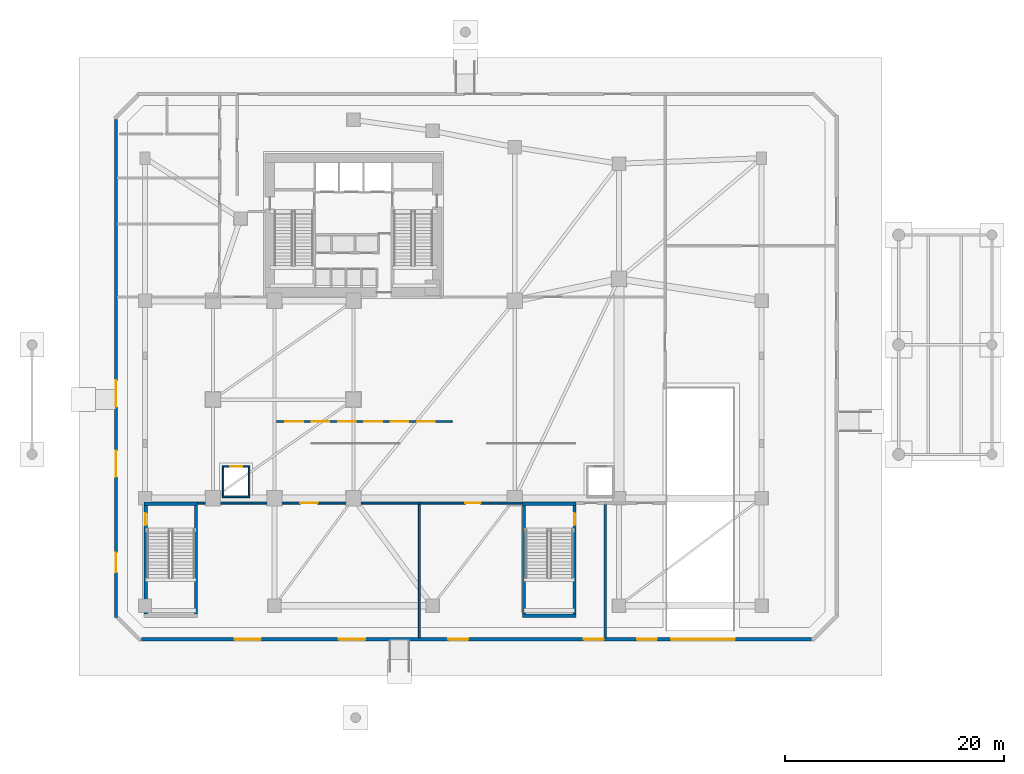
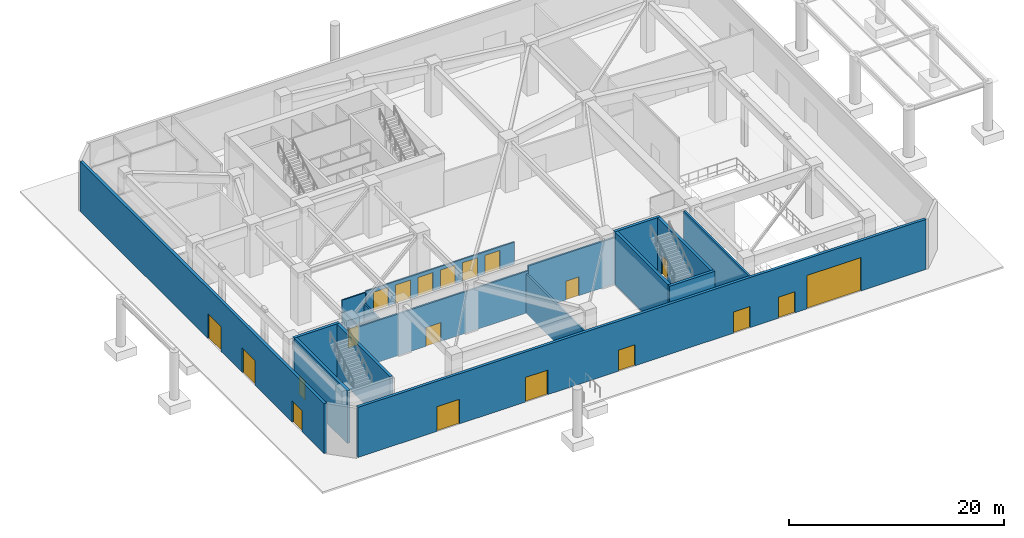
# One storey, part 3 of 13: 20 doors, 18 walls, 20 openings.
"""IFC4 building model written with IfcOpenShell, lengths in metres."""

import ifcopenshell
import ifcopenshell.guid

model = None  # the IFC model being written
_history = None  # IfcOwnerHistory: only IFC2X3 demands one
_inside = {}  # id of a spatial element -> (the spatial element, [elements in it])
_under = {}  # id of a project, library or spatial element -> (it, [spatial elements below it])
_declared = {}  # id of a project -> (the project, [libraries it declares])
_typed = {}  # id of a type object -> (the type object, [elements of that type])
_made_of = {}  # id of a material, layer set ... -> (it, [elements and type objects made of it])


def new_model(schema):
    """Start an empty IFC model of exactly this schema.

    Asked for "IFC4X3", IfcOpenShell would pick the latest addendum, in which some entities
    have other attributes; the version numbers below select the first issue.
    IFC2X3 requires an IfcOwnerHistory on every rooted entity: one is made here for all.
    """
    global model, _history
    if schema == "IFC4X3":
        model = ifcopenshell.file(schema_version=(4, 3, 0, 0))
    else:
        model = ifcopenshell.file(schema=schema)
    _inside.clear()
    _under.clear()
    _declared.clear()
    _typed.clear()
    _made_of.clear()
    _history = None
    if model.schema == "IFC2X3":
        org = make("IfcOrganization", Name="unknown")
        user = make(
            "IfcPersonAndOrganization",
            ThePerson=make("IfcPerson", FamilyName="unknown"),
            TheOrganization=org,
        )
        app = make(
            "IfcApplication",
            ApplicationDeveloper=org,
            Version="unknown",
            ApplicationFullName="unknown",
            ApplicationIdentifier="unknown",
        )
        _history = make(
            "IfcOwnerHistory",
            OwningUser=user,
            OwningApplication=app,
            ChangeAction="ADDED",
            CreationDate=0,
        )
    return model


def make(cls, **values):
    """One entity of the class cls with the attributes given. An attribute that is None is left unset."""
    return model.create_entity(
        cls, **{name: value for name, value in values.items() if value is not None}
    )


def rooted(cls, **values):
    """An entity with a GlobalId (a new one), such as an element, a storey or a relation."""
    return make(cls, GlobalId=ifcopenshell.guid.new(), OwnerHistory=_history, **values)


def si_unit(unit_type, name, prefix=None):
    """IfcSIUnit, for example si_unit("LENGTHUNIT", "METRE", prefix="MILLI")."""
    return make("IfcSIUnit", UnitType=unit_type, Prefix=prefix, Name=name)


def assignment(units):
    """IfcUnitAssignment: the units of a project."""
    return None if units is None else make("IfcUnitAssignment", Units=units)


def point(xyz):
    """IfcCartesianPoint."""
    return None if xyz is None else make("IfcCartesianPoint", Coordinates=xyz)


def direction(xyz):
    """IfcDirection."""
    return None if xyz is None else make("IfcDirection", DirectionRatios=xyz)


def frame(location, z_axis=None, x_axis=None):
    """IfcAxis2Placement3D, a coordinate frame: its origin and axes. An axis left out is left unset."""
    return make(
        "IfcAxis2Placement3D",
        Location=point(location),
        Axis=direction(z_axis),
        RefDirection=direction(x_axis),
    )


def frame_2d(location, x_axis=None):
    """IfcAxis2Placement2D, a coordinate frame in the plane: its origin and x axis."""
    return make(
        "IfcAxis2Placement2D", Location=point(location), RefDirection=direction(x_axis)
    )


def origin():
    """The frame at (0, 0, 0) with its axes left unset."""
    return frame((0.0, 0.0, 0.0))


def place(relative_to, where):
    """IfcLocalPlacement: puts the frame where relative to a parent placement (None: the world)."""
    return make(
        "IfcLocalPlacement", PlacementRelTo=relative_to, RelativePlacement=where
    )


def context(
    kind, dimensions, precision=None, world=None, true_north=None, identifier=None
):
    """IfcGeometricRepresentationContext, for example the 3D "Model" context."""
    return make(
        "IfcGeometricRepresentationContext",
        ContextIdentifier=identifier,
        ContextType=kind,
        CoordinateSpaceDimension=dimensions,
        Precision=precision,
        WorldCoordinateSystem=world,
        TrueNorth=true_north,
    )


def subcontext(parent, identifier, kind, view, scale=None):
    """IfcGeometricRepresentationSubContext, for example "Body" below "Model"."""
    return make(
        "IfcGeometricRepresentationSubContext",
        ContextIdentifier=identifier,
        ContextType=kind,
        ParentContext=parent,
        TargetScale=scale,
        TargetView=view,
    )


def project(units=None, contexts=None):
    """IfcProject with its units and contexts."""
    return rooted(
        "IfcProject",
        Name="project",
        RepresentationContexts=contexts,
        UnitsInContext=assignment(units),
    )


def spatial(cls, under=None, at=None, **own):
    """A site, building, storey or space (cls), placed at a placement, below another one or the project."""
    s = rooted(cls, ObjectPlacement=at, **own)
    if under is not None:
        _under.setdefault(under.id(), (under, []))[1].append(s)
    return s


def profile(cls, at=None, kind="AREA", **sizes):
    """A parametric profile (cls). Its sizes go by their IFC names, for example OverallWidth=200.0."""
    return make(cls, ProfileType=kind, Position=at, **sizes)


def rectangle(**sizes):
    """IfcRectangleProfileDef."""
    return profile("IfcRectangleProfileDef", **sizes)


def extrude(swept, where, along, depth):
    """IfcExtrudedAreaSolid: the profile swept, set in the frame where, extruded along a direction by depth."""
    return make(
        "IfcExtrudedAreaSolid",
        SweptArea=swept,
        Position=where,
        ExtrudedDirection=direction(along),
        Depth=depth,
    )


def shape(context_of_items, identifier, shape_type, items):
    """IfcShapeRepresentation: the items that make up one representation, for example the "Body"."""
    return make(
        "IfcShapeRepresentation",
        ContextOfItems=context_of_items,
        RepresentationIdentifier=identifier,
        RepresentationType=shape_type,
        Items=items,
    )


def source(mapping_origin, context_of_items, identifier, shape_type, items):
    """IfcRepresentationMap: a shape defined once, which mapped items show again and again."""
    return make(
        "IfcRepresentationMap",
        MappingOrigin=mapping_origin,
        MappedRepresentation=shape(context_of_items, identifier, shape_type, items),
    )


def transform(
    local_origin,
    x_axis=None,
    y_axis=None,
    z_axis=None,
    scale=None,
    scale2=None,
    scale3=None,
    uniform=True,
):
    """IfcCartesianTransformationOperator3D, or its non-uniform kind. x_axis, y_axis, z_axis: its Axis1, 2, 3."""
    if uniform:
        return make(
            "IfcCartesianTransformationOperator3D",
            Axis1=direction(x_axis),
            Axis2=direction(y_axis),
            LocalOrigin=point(local_origin),
            Scale=scale,
            Axis3=direction(z_axis),
        )
    return make(
        "IfcCartesianTransformationOperator3DnonUniform",
        Axis1=direction(x_axis),
        Axis2=direction(y_axis),
        LocalOrigin=point(local_origin),
        Scale=scale,
        Axis3=direction(z_axis),
        Scale2=scale2,
        Scale3=scale3,
    )


def mapped(mapping_source, mapping_target):
    """IfcMappedItem: shows the shape of a source again, moved by a transform."""
    return make(
        "IfcMappedItem", MappingSource=mapping_source, MappingTarget=mapping_target
    )


def material(Name=None, Category=None):
    """IfcMaterial."""
    return make("IfcMaterial", Name=Name, Category=Category)


def layer(
    of_material, thickness, ventilated=None, Name=None, Category=None, Priority=None
):
    """IfcMaterialLayer: one layer of a wall or slab, of a material (None: an air gap)."""
    return make(
        "IfcMaterialLayer",
        Material=of_material,
        LayerThickness=thickness,
        IsVentilated=ventilated,
        Name=Name,
        Category=Category,
        Priority=Priority,
    )


def layer_set(layers, Name=None):
    """IfcMaterialLayerSet."""
    return make("IfcMaterialLayerSet", MaterialLayers=layers, LayerSetName=Name)


def made_of(thing, what):
    """Note that an element or type object is made of a material, layer set ...; save() writes the relation."""
    if what is not None:
        _made_of.setdefault(what.id(), (what, []))[1].append(thing)
    return thing


def type_object(cls, material=None, **own):
    """A type object (cls), such as IfcWallType, which elements share."""
    return made_of(rooted(cls, **own), material)


def element(
    cls,
    number,
    at=None,
    inside=None,
    cuts=None,
    type_object=None,
    material=None,
    context=None,
    identifier="Body",
    shape_type=None,
    held_by="IfcProductDefinitionShape",
    body=None,
    shapes=None,
    **own,
):
    """One element of the class cls, such as IfcWall. Its Tag is "e" and its number.

    at: its placement. inside: the storey or other place that contains it. cuts: it is an
    opening in that element (IfcRelVoidsElement). A single representation is given by context,
    identifier, shape_type and body (its items); several are given by shapes. held_by: the class
    of the entity that holds the representations. save() writes the other relations.
    """
    e = rooted(cls, Tag="e%d" % number, ObjectPlacement=at, **own)
    if body is not None:
        shapes = [shape(context, identifier, shape_type, body)]
    if shapes is not None:
        e.Representation = make(held_by, Representations=shapes)
    if inside is not None:
        _inside.setdefault(inside.id(), (inside, []))[1].append(e)
    if cuts is not None:
        rooted(
            "IfcRelVoidsElement", RelatingBuildingElement=cuts, RelatedOpeningElement=e
        )
    if type_object is not None:
        _typed.setdefault(type_object.id(), (type_object, []))[1].append(e)
    return made_of(e, material)


def fill(opening, filler):
    """IfcRelFillsElement: the door or window that sits in an opening."""
    return rooted(
        "IfcRelFillsElement",
        RelatingOpeningElement=opening,
        RelatedBuildingElement=filler,
    )


def aggregate(whole, parts):
    """IfcRelAggregates: a whole, such as a stair, and the parts it consists of."""
    return rooted("IfcRelAggregates", RelatingObject=whole, RelatedObjects=parts)


def save(model, path):
    """Write the relations noted so far, then the file.

    IfcRelAggregates (storeys below a building ...), IfcRelContainedInSpatialStructure (elements
    in a storey), IfcRelDefinesByType, IfcRelAssociatesMaterial and IfcRelDeclares: one each for
    every whole, place, type object, material and project.
    """
    for whole, parts in _under.values():
        aggregate(whole, parts)
    for where, things in _inside.values():
        rooted(
            "IfcRelContainedInSpatialStructure",
            RelatedElements=things,
            RelatingStructure=where,
        )
    for kind, things in _typed.values():
        rooted("IfcRelDefinesByType", RelatedObjects=things, RelatingType=kind)
    for what, things in _made_of.values():
        rooted("IfcRelAssociatesMaterial", RelatedObjects=things, RelatingMaterial=what)
    for by, libraries in _declared.values():
        rooted("IfcRelDeclares", RelatingContext=by, RelatedDefinitions=libraries)
    model.write(path)


model = new_model("IFC4")

# Units and contexts
model_context = context("Model", 3, precision=1e-05, world=origin(), true_north=direction((0.0, 1.0)))
body_context = subcontext(model_context, "Body", "Model", "MODEL_VIEW")
ifc_project = project(units=[si_unit("LENGTHUNIT", "METRE"), si_unit("AREAUNIT", "SQUARE_METRE"), si_unit("VOLUMEUNIT", "CUBIC_METRE"), si_unit("PLANEANGLEUNIT", "RADIAN"), si_unit("MASSUNIT", "GRAM", prefix="KILO")], contexts=[model_context])

# Site, building, storey
site_placement = place(None, origin())
site = spatial("IfcSite", under=ifc_project, at=site_placement, CompositionType="ELEMENT")
building_placement = place(site_placement, origin())
building = spatial("IfcBuilding", under=site, at=building_placement, Name="Calvemar Wedge Station Tower", CompositionType="ELEMENT")
storey_placement = place(building_placement, origin())
storey = spatial("IfcBuildingStorey", under=building, at=storey_placement, Name="L01", CompositionType="ELEMENT", Elevation=0.0)

# Wall, opening, door
ifc_material_1 = material(Name="Concrete C50", Category="concrete")
ifc_layer_1 = layer(ifc_material_1, 0.300048828125)
ifc_layer_set_1 = layer_set([ifc_layer_1], Name="Concrete C50")
wall_type_1 = type_object("IfcWallType", Name="SW-CORE-300", PredefinedType="SHEAR", material=ifc_layer_set_1)
wall_1_placement = place(storey_placement, frame((4.85009765625, 4.449951171875, 0.0), z_axis=(0.0, 0.0, 1.0), x_axis=(0.0, 1.0, 0.0)))
wall_1 = element("IfcWall", 1, at=wall_1_placement, inside=storey, type_object=wall_type_1, Name="Storey L01 Podium Stair STP1 Structural Wall W", PredefinedType="SHEAR", context=body_context, shape_type="SweptSolid", body=[
    extrude(rectangle(XDim=9.900146484375, YDim=0.300048828125, at=frame_2d((4.9501953125, 0.0))), origin(), (0.0, 0.0, 1.0), 6.0),
])
shared_shape_1 = source(origin(), body_context, "Body", "SweptSolid", [
    extrude(rectangle(XDim=1.10009765625, YDim=2.14990234375, at=frame_2d((0.550048828125, 1.074951171875))), frame((0.0, 0.16015625, 0.0), z_axis=(0.0, -1.0, 0.0), x_axis=(1.0, 0.0, 0.0)), (0.0, 0.0, 1.0), 0.320068359375),
])
opening_1_placement = place(wall_1_placement, frame((8.10009765625, 0.0, 0.0)))
opening_1 = element("IfcOpeningElement", 2, at=opening_1_placement, cuts=wall_1, Name="Opening FD-90", PredefinedType="OPENING", context=body_context, shape_type="MappedRepresentation", body=[
    mapped(shared_shape_1, transform((0.0, 0.0, 0.0), scale=1.0)),
])
ifc_material_2 = material(Name="Galvanized fire-rated steel door leaf P-90", Category="steel")
door_type_1 = type_object("IfcDoorType", Name="DR-FD90-1100", OperationType="NOTDEFINED", PredefinedType="DOOR", material=ifc_material_2)
shared_shape_2 = source(origin(), body_context, "Body", "SweptSolid", [
    extrude(rectangle(XDim=1.10009765625, YDim=2.14990234375, at=frame_2d((0.550048828125, 1.074951171875))), frame((0.0, 0.02490234375, 0.0), z_axis=(0.0, -1.0, 0.0), x_axis=(1.0, 0.0, 0.0)), (0.0, 0.0, 1.0), 0.050048828125),
])
door_1_placement = place(opening_1_placement, origin())
door_1 = element("IfcDoor", 3, at=door_1_placement, inside=storey, type_object=door_type_1, Name="L01 Stair ST-P1 Protected Discharge Door", OperationType="SINGLE_SWING_RIGHT", OverallHeight=2.14990234375, OverallWidth=1.10009765625, PredefinedType="DOOR", context=body_context, shape_type="MappedRepresentation", body=[
    mapped(shared_shape_2, transform((0.0, 0.0, 0.0), scale=1.0)),
])
fill(opening_1, door_1)

# Walls
wall_2_placement = place(storey_placement, frame((9.449951171875, 4.449951171875, 0.0), z_axis=(0.0, 0.0, 1.0), x_axis=(0.0, 1.0, 0.0)))
element("IfcWall", 4, at=wall_2_placement, inside=storey, type_object=wall_type_1, Name="Storey L01 Podium Stair STP1 Structural Wall E", PredefinedType="SHEAR", context=body_context, shape_type="SweptSolid", body=[
    extrude(rectangle(XDim=9.900146484375, YDim=0.300048828125, at=frame_2d((4.9501953125, 0.0))), origin(), (0.0, 0.0, 1.0), 6.0),
])
wall_3_placement = place(storey_placement, frame((4.699951171875, 14.5, 0.0), z_axis=(0.0, 0.0, 1.0), x_axis=(1.0, 0.0, 0.0)))
element("IfcWall", 5, at=wall_3_placement, inside=storey, type_object=wall_type_1, Name="Storey L01 Podium Stair STP1 Structural Wall N", PredefinedType="SHEAR", context=body_context, shape_type="SweptSolid", body=[
    extrude(rectangle(XDim=4.900146484375, YDim=0.300048828125, at=frame_2d((2.4501953125, 0.0))), origin(), (0.0, 0.0, 1.0), 6.0),
])
wall_4_placement = place(storey_placement, frame((39.35009765625, 4.449951171875, 0.0), z_axis=(0.0, 0.0, 1.0), x_axis=(0.0, 1.0, 0.0)))
element("IfcWall", 6, at=wall_4_placement, inside=storey, type_object=wall_type_1, Name="Storey L01 Podium Stair STP2 Structural Wall W", PredefinedType="SHEAR", context=body_context, shape_type="SweptSolid", body=[
    extrude(rectangle(XDim=9.900146484375, YDim=0.300048828125, at=frame_2d((4.9501953125, 0.0))), origin(), (0.0, 0.0, 1.0), 6.0),
])

# Wall, opening, door
wall_5_placement = place(storey_placement, frame((43.949951171875, 4.449951171875, 0.0), z_axis=(0.0, 0.0, 1.0), x_axis=(0.0, 1.0, 0.0)))
wall_5 = element("IfcWall", 7, at=wall_5_placement, inside=storey, type_object=wall_type_1, Name="Storey L01 Podium Stair STP2 Structural Wall E", PredefinedType="SHEAR", context=body_context, shape_type="SweptSolid", body=[
    extrude(rectangle(XDim=9.900146484375, YDim=0.300048828125, at=frame_2d((4.9501953125, 0.0))), origin(), (0.0, 0.0, 1.0), 6.0),
])
opening_2_placement = place(wall_5_placement, frame((8.10009765625, 0.0, 0.0)))
opening_2 = element("IfcOpeningElement", 8, at=opening_2_placement, cuts=wall_5, Name="Opening FD-90", PredefinedType="OPENING", context=body_context, shape_type="MappedRepresentation", body=[
    mapped(shared_shape_1, transform((0.0, 0.0, 0.0), scale=1.0)),
])
door_2_placement = place(opening_2_placement, origin())
door_2 = element("IfcDoor", 9, at=door_2_placement, inside=storey, type_object=door_type_1, Name="L01 Stair ST-P2 Protected Discharge Door", OperationType="SINGLE_SWING_LEFT", OverallHeight=2.14990234375, OverallWidth=1.10009765625, PredefinedType="DOOR", context=body_context, shape_type="MappedRepresentation", body=[
    mapped(shared_shape_2, transform((0.0, 0.0, 0.0), scale=1.0)),
])
fill(opening_2, door_2)

# Walls
for number, where, z_axis, x_axis, name in (
    (10, (39.199951171875, 4.300048828125, 0.0), (0.0, 0.0, 1.0), (1.0, 0.0, 0.0), "Storey L01 Podium Stair STP2 Structural Wall S"),
    (11, (39.199951171875, 14.5, 0.0), (0.0, 0.0, 1.0), (1.0, 0.0, 0.0), "Storey L01 Podium Stair STP2 Structural Wall N"),
):
    element("IfcWall", number, at=place(storey_placement, frame(where, z_axis=z_axis, x_axis=x_axis)), inside=storey, type_object=wall_type_1, Name=name, PredefinedType="SHEAR", context=body_context, shape_type="SweptSolid", body=[
        extrude(rectangle(XDim=4.900146484375, YDim=0.300048828125, at=frame_2d((2.4501953125, 0.0))), origin(), (0.0, 0.0, 1.0), 6.0),
    ])

# Wall, opening, door
ifc_material_3 = material(Name="Double-stud fire-rated corridor partition")
ifc_layer_2 = layer(ifc_material_3, 0.179931640625)
ifc_layer_set_2 = layer_set([ifc_layer_2], Name="Double-stud fire-rated corridor partition")
wall_type_2 = type_object("IfcWallType", Name="W-CORR-180", PredefinedType="PARTITIONING", material=ifc_layer_set_2)
wall_6_placement = place(storey_placement, frame((29.9599609375, 14.550048828125, 0.0), z_axis=(0.0, 0.0, 1.0), x_axis=(-1.0, 0.0, 0.0)))
wall_6 = element("IfcWall", 12, at=wall_6_placement, inside=storey, type_object=wall_type_2, Name="Storey L01 Interior Partition WL-L01-008", PredefinedType="PARTITIONING", context=body_context, shape_type="SweptSolid", body=[
    extrude(rectangle(XDim=20.449951171875, YDim=0.179931640625, at=frame_2d((10.22509765625, 0.0))), origin(), (0.0, 0.0, 1.0), 4.741943359375),
])
shared_shape_3 = source(origin(), body_context, "Body", "SweptSolid", [
    extrude(rectangle(XDim=1.60009765625, YDim=2.14990234375, at=frame_2d((0.800048828125, 1.074951171875))), frame((0.0, 0.10009765625, 0.0), z_axis=(0.0, -1.0, 0.0), x_axis=(1.0, 0.0, 0.0)), (0.0, 0.0, 1.0), 0.199951171875),
])
opening_3_placement = place(wall_6_placement, frame((9.425048828125, 0.0, 0.0)))
opening_3 = element("IfcOpeningElement", 13, at=opening_3_placement, cuts=wall_6, Name="Opening DD-160", PredefinedType="OPENING", context=body_context, shape_type="MappedRepresentation", body=[
    mapped(shared_shape_3, transform((0.0, 0.0, 0.0), scale=1.0)),
])
ifc_material_4 = material(Name="Double-leaf fire-rated lobby door EI 60")
door_type_2 = type_object("IfcDoorType", Name="DR-DBL-1600", OperationType="DOUBLE_DOOR_SINGLE_SWING", PredefinedType="DOOR", material=ifc_material_4)
shared_shape_4 = source(origin(), body_context, "Body", "SweptSolid", [
    extrude(rectangle(XDim=1.60009765625, YDim=2.14990234375, at=frame_2d((0.800048828125, 1.074951171875))), frame((0.0, 0.02490234375, 0.0), z_axis=(0.0, -1.0, 0.0), x_axis=(1.0, 0.0, 0.0)), (0.0, 0.0, 1.0), 0.050048828125),
])
door_3_placement = place(opening_3_placement, origin())
door_3 = element("IfcDoor", 14, at=door_3_placement, inside=storey, type_object=door_type_2, Name="L01 South Tower Entrance Hall Door", OperationType="SINGLE_SWING_LEFT", OverallHeight=2.14990234375, OverallWidth=1.60009765625, PredefinedType="DOOR", context=body_context, shape_type="MappedRepresentation", body=[
    mapped(shared_shape_4, transform((0.0, 0.0, 0.0), scale=1.0)),
])
fill(opening_3, door_3)

wall_7_placement = place(storey_placement, frame((39.2900390625, 14.550048828125, 0.0), z_axis=(0.0, 0.0, 1.0), x_axis=(-1.0, 0.0, 0.0)))
wall_7 = element("IfcWall", 15, at=wall_7_placement, inside=storey, type_object=wall_type_2, Name="Storey L01 Interior Partition WL-L01-009", PredefinedType="PARTITIONING", context=body_context, shape_type="SweptSolid", body=[
    extrude(rectangle(XDim=9.328125, YDim=0.179931640625, at=frame_2d((4.6640625, 0.0))), origin(), (0.0, 0.0, 1.0), 5.284912109375),
])
shared_shape_5 = source(origin(), body_context, "Body", "SweptSolid", [
    extrude(rectangle(XDim=1.39990234375, YDim=2.14990234375, at=frame_2d((0.699951171875, 1.074951171875))), frame((0.0, 0.10009765625, 0.0), z_axis=(0.0, -1.0, 0.0), x_axis=(1.0, 0.0, 0.0)), (0.0, 0.0, 1.0), 0.199951171875),
])
opening_4_placement = place(wall_7_placement, frame((3.903564453125, 0.0, 0.0)))
opening_4 = element("IfcOpeningElement", 16, at=opening_4_placement, cuts=wall_7, Name="Opening DD-140", PredefinedType="OPENING", context=body_context, shape_type="MappedRepresentation", body=[
    mapped(shared_shape_5, transform((0.0, 0.0, 0.0), scale=1.0)),
])
ifc_material_5 = material(Name="Double-leaf corridor acoustic fire door EI 60")
door_type_3 = type_object("IfcDoorType", Name="DR-DBL-1400", OperationType="DOUBLE_DOOR_SINGLE_SWING", PredefinedType="DOOR", material=ifc_material_5)
shared_shape_6 = source(origin(), body_context, "Body", "SweptSolid", [
    extrude(rectangle(XDim=1.39990234375, YDim=2.14990234375, at=frame_2d((0.699951171875, 1.074951171875))), frame((0.0, 0.02490234375, 0.0), z_axis=(0.0, -1.0, 0.0), x_axis=(1.0, 0.0, 0.0)), (0.0, 0.0, 1.0), 0.050048828125),
])
door_4_placement = place(opening_4_placement, origin())
door_4 = element("IfcDoor", 17, at=door_4_placement, inside=storey, type_object=door_type_3, Name="L01 Station Retail Shop 1 Door", OperationType="SINGLE_SWING_RIGHT", OverallHeight=2.14990234375, OverallWidth=1.39990234375, PredefinedType="DOOR", context=body_context, shape_type="MappedRepresentation", body=[
    mapped(shared_shape_6, transform((0.0, 0.0, 0.0), scale=1.0)),
])
fill(opening_4, door_4)

# Wall
wall_8_placement = place(storey_placement, frame((29.800048828125, 14.4560546875, 0.0), z_axis=(0.0, 0.0, 1.0), x_axis=(0.0, -1.0, 0.0)))
element("IfcWall", 18, at=wall_8_placement, inside=storey, type_object=wall_type_2, Name="Storey L01 Interior Partition WL-L01-016", PredefinedType="PARTITIONING", context=body_context, shape_type="SweptSolid", body=[
    extrude(rectangle(XDim=12.191162109375, YDim=0.179931640625, at=frame_2d((6.095703125, 0.0))), origin(), (0.0, 0.0, 1.0), 4.491943359375),
])

# Wall, openings, doors
ifc_material_6 = material(Name="Precast concrete C45", Category="concrete")
ifc_layer_3 = layer(ifc_material_6, 0.300048828125)
ifc_layer_set_3 = layer_set([ifc_layer_3], Name="Precast concrete C45")
wall_type_3 = type_object("IfcWallType", Name="W-EXT-GFRC-300", PredefinedType="SOLIDWALL", material=ifc_layer_set_3)
wall_9_placement = place(storey_placement, frame((2.14990234375, 4.112060546875, 0.0), z_axis=(0.0, 0.0, 1.0), x_axis=(0.0, 1.0, 0.0)))
wall_9 = element("IfcWall", 19, at=wall_9_placement, inside=storey, type_object=wall_type_3, Name="Storey L01 Bronze GFRC Exterior Wall 6", PredefinedType="SOLIDWALL", context=body_context, shape_type="SweptSolid", body=[
    extrude(rectangle(XDim=45.4306640625, YDim=0.300048828125, at=frame_2d((22.71533203125, 0.0))), origin(), (0.0, 0.0, 1.0), 5.699951171875),
])
shared_shape_7 = source(origin(), body_context, "Body", "SweptSolid", [
    extrude(rectangle(XDim=2.39990234375, YDim=2.800048828125, at=frame_2d((1.199951171875, 1.39990234375))), frame((0.0, 0.16015625, 0.0), z_axis=(0.0, -1.0, 0.0), x_axis=(1.0, 0.0, 0.0)), (0.0, 0.0, 1.0), 0.320068359375),
])
opening_5_placement = place(wall_9_placement, frame((19.230712890625, 0.0, 0.0)))
opening_5 = element("IfcOpeningElement", 20, at=opening_5_placement, cuts=wall_9, Name="Opening DE1", PredefinedType="OPENING", context=body_context, shape_type="MappedRepresentation", body=[
    mapped(shared_shape_7, transform((0.0, 0.0, 0.0), scale=1.0)),
])
opening_6_placement = place(wall_9_placement, frame((12.83056640625, 0.0, 0.0)))
opening_6 = element("IfcOpeningElement", 21, at=opening_6_placement, cuts=wall_9, Name="Opening DE1", PredefinedType="OPENING", context=body_context, shape_type="MappedRepresentation", body=[
    mapped(shared_shape_7, transform((0.0, 0.0, 0.0), scale=1.0)),
])
shared_shape_8 = source(origin(), body_context, "Body", "SweptSolid", [
    extrude(rectangle(XDim=1.800048828125, YDim=2.39990234375, at=frame_2d((0.89990234375, 1.199951171875))), frame((0.0, 0.16015625, 0.0), z_axis=(0.0, -1.0, 0.0), x_axis=(1.0, 0.0, 0.0)), (0.0, 0.0, 1.0), 0.320068359375),
])
opening_7_placement = place(wall_9_placement, frame((4.130615234375, 0.0, 0.0)))
opening_7 = element("IfcOpeningElement", 22, at=opening_7_placement, cuts=wall_9, Name="Opening DE2", PredefinedType="OPENING", context=body_context, shape_type="MappedRepresentation", body=[
    mapped(shared_shape_8, transform((0.0, 0.0, 0.0), scale=1.0)),
])
ifc_material_7 = material(Name="Anodised aluminium 6063-T6", Category="aluminium")
door_type_4 = type_object("IfcDoorType", Name="DR-ENT-2400", OperationType="DOUBLE_DOOR_SINGLE_SWING", PredefinedType="DOOR", material=ifc_material_7)
shared_shape_9 = source(origin(), body_context, "Body", "SweptSolid", [
    extrude(rectangle(XDim=2.39990234375, YDim=2.800048828125, at=frame_2d((1.199951171875, 1.39990234375))), frame((0.0, 0.02490234375, 0.0), z_axis=(0.0, -1.0, 0.0), x_axis=(1.0, 0.0, 0.0)), (0.0, 0.0, 1.0), 0.050048828125),
])
door_5_placement = place(opening_5_placement, origin())
door_5 = element("IfcDoor", 23, at=door_5_placement, inside=storey, type_object=door_type_4, Name="West VLT Concourse Plaza Entrance Door", OperationType="DOUBLE_DOOR_SINGLE_SWING", OverallHeight=2.800048828125, OverallWidth=2.39990234375, PredefinedType="DOOR", context=body_context, shape_type="MappedRepresentation", body=[
    mapped(shared_shape_9, transform((0.0, 0.0, 0.0), scale=1.0)),
])
fill(opening_5, door_5)
door_6_placement = place(opening_6_placement, origin())
door_6 = element("IfcDoor", 24, at=door_6_placement, inside=storey, type_object=door_type_4, Name="West VLT Walkway Concourse Exit Door", OperationType="DOUBLE_DOOR_SINGLE_SWING", OverallHeight=2.800048828125, OverallWidth=2.39990234375, PredefinedType="DOOR", context=body_context, shape_type="MappedRepresentation", body=[
    mapped(shared_shape_9, transform((0.0, 0.0, 0.0), scale=1.0)),
])
fill(opening_6, door_6)
door_type_5 = type_object("IfcDoorType", Name="DR-ENT-1800", OperationType="DOUBLE_DOOR_SINGLE_SWING", PredefinedType="DOOR", material=ifc_material_7)
shared_shape_10 = source(origin(), body_context, "Body", "SweptSolid", [
    extrude(rectangle(XDim=1.800048828125, YDim=2.39990234375, at=frame_2d((0.89990234375, 1.199951171875))), frame((0.0, 0.02490234375, 0.0), z_axis=(0.0, -1.0, 0.0), x_axis=(1.0, 0.0, 0.0)), (0.0, 0.0, 1.0), 0.050048828125),
])
door_7_placement = place(opening_7_placement, origin())
door_7 = element("IfcDoor", 25, at=door_7_placement, inside=storey, type_object=door_type_5, Name="Stair ST-P1 Protected Exit Discharge Door", OperationType="DOUBLE_DOOR_SINGLE_SWING", OverallHeight=2.39990234375, OverallWidth=1.800048828125, PredefinedType="DOOR", context=body_context, shape_type="MappedRepresentation", body=[
    mapped(shared_shape_10, transform((0.0, 0.0, 0.0), scale=1.0)),
])
fill(opening_7, door_7)

wall_10_placement = place(storey_placement, frame((65.542724609375, 2.14990234375, 0.0), z_axis=(0.0, 0.0, 1.0), x_axis=(-1.0, 0.0, 0.0)))
wall_10 = element("IfcWall", 26, at=wall_10_placement, inside=storey, type_object=wall_type_3, Name="Storey L01 Bronze GFRC Exterior Wall 8", PredefinedType="SOLIDWALL", context=body_context, shape_type="SweptSolid", body=[
    extrude(rectangle(XDim=61.08544921875, YDim=0.300048828125, at=frame_2d((30.542724609375, 0.0))), origin(), (0.0, 0.0, 1.0), 5.699951171875),
])
opening_8_placement = place(wall_10_placement, frame((50.185302734375, 0.0, 0.0)))
opening_8 = element("IfcOpeningElement", 27, at=opening_8_placement, cuts=wall_10, Name="Opening DE1", PredefinedType="OPENING", context=body_context, shape_type="MappedRepresentation", body=[
    mapped(shared_shape_7, transform((0.0, 0.0, 0.0), scale=1.0)),
])
opening_9_placement = place(wall_10_placement, frame((40.685302734375, 0.0, 0.0)))
opening_9 = element("IfcOpeningElement", 28, at=opening_9_placement, cuts=wall_10, Name="Opening DE1", PredefinedType="OPENING", context=body_context, shape_type="MappedRepresentation", body=[
    mapped(shared_shape_7, transform((0.0, 0.0, 0.0), scale=1.0)),
])
opening_10_placement = place(wall_10_placement, frame((31.285400390625, 0.0, 0.0)))
opening_10 = element("IfcOpeningElement", 29, at=opening_10_placement, cuts=wall_10, Name="Opening DE2", PredefinedType="OPENING", context=body_context, shape_type="MappedRepresentation", body=[
    mapped(shared_shape_8, transform((0.0, 0.0, 0.0), scale=1.0)),
])
opening_11_placement = place(wall_10_placement, frame((18.935302734375, 0.0, 0.0)))
opening_11 = element("IfcOpeningElement", 30, at=opening_11_placement, cuts=wall_10, Name="Opening DE2", PredefinedType="OPENING", context=body_context, shape_type="MappedRepresentation", body=[
    mapped(shared_shape_8, transform((0.0, 0.0, 0.0), scale=1.0)),
])
opening_12_placement = place(wall_10_placement, frame((14.08544921875, 0.0, 0.0)))
opening_12 = element("IfcOpeningElement", 31, at=opening_12_placement, cuts=wall_10, Name="Opening DE2", PredefinedType="OPENING", context=body_context, shape_type="MappedRepresentation", body=[
    mapped(shared_shape_8, transform((0.0, 0.0, 0.0), scale=1.0)),
])
shared_shape_11 = source(origin(), body_context, "Body", "SweptSolid", [
    extrude(rectangle(XDim=5.800048828125, YDim=3.800048828125, at=frame_2d((2.89990234375, 1.89990234375))), frame((0.0, 0.16015625, 0.0), z_axis=(0.0, -1.0, 0.0), x_axis=(1.0, 0.0, 0.0)), (0.0, 0.0, 1.0), 0.320068359375),
])
opening_13_placement = place(wall_10_placement, frame((6.9853515625, 0.0, 0.0)))
opening_13 = element("IfcOpeningElement", 32, at=opening_13_placement, cuts=wall_10, Name="Opening VG1", PredefinedType="OPENING", context=body_context, shape_type="MappedRepresentation", body=[
    mapped(shared_shape_11, transform((0.0, 0.0, 0.0), scale=1.0)),
])
door_8_placement = place(opening_8_placement, origin())
door_8 = element("IfcDoor", 33, at=door_8_placement, inside=storey, type_object=door_type_4, Name="South Entrance Hall Plaza Exit Door 1", OperationType="DOUBLE_DOOR_SINGLE_SWING", OverallHeight=2.800048828125, OverallWidth=2.39990234375, PredefinedType="DOOR", context=body_context, shape_type="MappedRepresentation", body=[
    mapped(shared_shape_9, transform((0.0, 0.0, 0.0), scale=1.0)),
])
fill(opening_8, door_8)
door_9_placement = place(opening_9_placement, origin())
door_9 = element("IfcDoor", 34, at=door_9_placement, inside=storey, type_object=door_type_4, Name="South Entrance Hall Main Street Door", OperationType="DOUBLE_DOOR_SINGLE_SWING", OverallHeight=2.800048828125, OverallWidth=2.39990234375, PredefinedType="DOOR", context=body_context, shape_type="MappedRepresentation", body=[
    mapped(shared_shape_9, transform((0.0, 0.0, 0.0), scale=1.0)),
])
fill(opening_9, door_9)
door_10_placement = place(opening_10_placement, origin())
door_10 = element("IfcDoor", 35, at=door_10_placement, inside=storey, type_object=door_type_5, Name="Station Retail Shop 1 Street Entrance Door", OperationType="DOUBLE_DOOR_SINGLE_SWING", OverallHeight=2.39990234375, OverallWidth=1.800048828125, PredefinedType="DOOR", context=body_context, shape_type="MappedRepresentation", body=[
    mapped(shared_shape_10, transform((0.0, 0.0, 0.0), scale=1.0)),
])
fill(opening_10, door_10)
door_11_placement = place(opening_11_placement, origin())
door_11 = element("IfcDoor", 36, at=door_11_placement, inside=storey, type_object=door_type_5, Name="Stair ST-P2 Protected Exit Discharge Door", OperationType="DOUBLE_DOOR_SINGLE_SWING", OverallHeight=2.39990234375, OverallWidth=1.800048828125, PredefinedType="DOOR", context=body_context, shape_type="MappedRepresentation", body=[
    mapped(shared_shape_10, transform((0.0, 0.0, 0.0), scale=1.0)),
])
fill(opening_11, door_11)
door_12_placement = place(opening_12_placement, origin())
door_12 = element("IfcDoor", 37, at=door_12_placement, inside=storey, type_object=door_type_5, Name="Station Retail Shop 2 Street Entrance Door", OperationType="DOUBLE_DOOR_SINGLE_SWING", OverallHeight=2.39990234375, OverallWidth=1.800048828125, PredefinedType="DOOR", context=body_context, shape_type="MappedRepresentation", body=[
    mapped(shared_shape_10, transform((0.0, 0.0, 0.0), scale=1.0)),
])
fill(opening_12, door_12)
door_type_6 = type_object("IfcDoorType", Name="DR-VEH-GATE", OperationType="ROLLINGUP", PredefinedType="GATE", material=ifc_material_7)
shared_shape_12 = source(origin(), body_context, "Body", "SweptSolid", [
    extrude(rectangle(XDim=5.800048828125, YDim=3.800048828125, at=frame_2d((2.89990234375, 1.89990234375))), frame((0.0, 0.02490234375, 0.0), z_axis=(0.0, -1.0, 0.0), x_axis=(1.0, 0.0, 0.0)), (0.0, 0.0, 1.0), 0.050048828125),
])
door_13_placement = place(opening_13_placement, origin())
door_13 = element("IfcDoor", 38, at=door_13_placement, inside=storey, type_object=door_type_6, Name="Basement Car Park Vehicle Ramp Shutter Gate", OperationType="ROLLINGUP", OverallHeight=3.800048828125, OverallWidth=5.800048828125, PredefinedType="GATE", context=body_context, shape_type="MappedRepresentation", body=[
    mapped(shared_shape_12, transform((0.0, 0.0, 0.0), scale=1.0)),
])
fill(opening_13, door_13)

# Wall, opening, door
ifc_material_8 = material(Name="Reinforced concrete blockwork lift shaft wall", Category="masonry")
ifc_layer_4 = layer(ifc_material_8, 0.139892578125)
ifc_layer_set_4 = layer_set([ifc_layer_4], Name="Reinforced concrete blockwork lift shaft wall")
wall_type_4 = type_object("IfcWallType", Name="W-LIFT-160", PredefinedType="SOLIDWALL", material=ifc_layer_set_4)
wall_11_placement = place(storey_placement, frame((11.85009765625, 17.8798828125, 0.0), z_axis=(0.0, 0.0, 1.0), x_axis=(1.0, 0.0, 0.0)))
wall_11 = element("IfcWall", 39, at=wall_11_placement, inside=storey, type_object=wall_type_4, Name="Storey L01 Station Lift SL-01 Shaft Wall N", PredefinedType="SOLIDWALL", context=body_context, shape_type="SweptSolid", body=[
    extrude(rectangle(XDim=2.5, YDim=0.139892578125, at=frame_2d((1.25, 0.0))), origin(), (0.0, 0.0, 1.0), 5.699951171875),
])
shared_shape_13 = source(origin(), body_context, "Body", "SweptSolid", [
    extrude(rectangle(XDim=1.10009765625, YDim=2.14990234375, at=frame_2d((0.550048828125, 1.074951171875))), frame((0.0, 0.080078125, 0.0), z_axis=(0.0, -1.0, 0.0), x_axis=(1.0, 0.0, 0.0)), (0.0, 0.0, 1.0), 0.159912109375),
])
opening_14_placement = place(wall_11_placement, frame((0.699951171875, 0.0, 0.0)))
opening_14 = element("IfcOpeningElement", 40, at=opening_14_placement, cuts=wall_11, Name="Opening LD-STN", PredefinedType="OPENING", context=body_context, shape_type="MappedRepresentation", body=[
    mapped(shared_shape_13, transform((0.0, 0.0, 0.0), scale=1.0)),
])
ifc_material_9 = material(Name="Stainless steel transit lift sliding landing door", Category="steel")
door_type_7 = type_object("IfcDoorType", Name="DR-LD-PAX-1100", OperationType="SLIDING_TO_LEFT", PredefinedType="DOOR", material=ifc_material_9)
shared_shape_14 = source(origin(), body_context, "Body", "SweptSolid", [
    extrude(rectangle(XDim=1.10009765625, YDim=2.14990234375, at=frame_2d((0.550048828125, 1.074951171875))), frame((0.0, 0.02490234375, 0.0), z_axis=(0.0, -1.0, 0.0), x_axis=(1.0, 0.0, 0.0)), (0.0, 0.0, 1.0), 0.050048828125),
])
door_14_placement = place(opening_14_placement, origin())
door_14 = element("IfcDoor", 41, at=door_14_placement, inside=storey, type_object=door_type_7, Name="L01 Station Lift SL-01 Sliding Landing Door", OperationType="SLIDING_TO_LEFT", OverallHeight=2.14990234375, OverallWidth=1.10009765625, PredefinedType="DOOR", context=body_context, shape_type="MappedRepresentation", body=[
    mapped(shared_shape_14, transform((0.0, 0.0, 0.0), scale=1.0)),
])
fill(opening_14, door_14)

# Walls
wall_12_placement = place(storey_placement, frame((11.85009765625, 15.1201171875, 0.0), z_axis=(0.0, 0.0, 1.0), x_axis=(1.0, 0.0, 0.0)))
element("IfcWall", 42, at=wall_12_placement, inside=storey, type_object=wall_type_4, Name="Storey L01 Station Lift SL-01 Shaft Wall S", PredefinedType="SOLIDWALL", context=body_context, shape_type="SweptSolid", body=[
    extrude(rectangle(XDim=2.5, YDim=0.139892578125, at=frame_2d((1.25, 0.0))), origin(), (0.0, 0.0, 1.0), 4.491943359375),
])
for number, where, z_axis, x_axis, name in (
    (43, (11.919921875, 15.219970703125, 0.0), (0.0, 0.0, 1.0), (0.0, 1.0, 0.0), "Storey L01 Station Lift SL-01 Shaft Wall W"),
    (44, (14.280029296875, 15.219970703125, 0.0), (0.0, 0.0, 1.0), (0.0, 1.0, 0.0), "Storey L01 Station Lift SL-01 Shaft Wall E"),
):
    element("IfcWall", number, at=place(storey_placement, frame(where, z_axis=z_axis, x_axis=x_axis)), inside=storey, type_object=wall_type_4, Name=name, PredefinedType="SOLIDWALL", context=body_context, shape_type="SweptSolid", body=[
        extrude(rectangle(XDim=2.56005859375, YDim=0.139892578125, at=frame_2d((1.280029296875, 0.0))), origin(), (0.0, 0.0, 1.0), 4.491943359375),
    ])
ifc_material_10 = material(Name="Concrete blockwork and fireboard shaft wall", Category="masonry")
ifc_layer_5 = layer(ifc_material_10, 0.199951171875)
ifc_layer_set_5 = layer_set([ifc_layer_5], Name="Concrete blockwork and fireboard shaft wall")
wall_type_5 = type_object("IfcWallType", Name="W-SHAFT-200", PredefinedType="SOLIDWALL", material=ifc_layer_set_5)
wall_13_placement = place(storey_placement, frame((46.75, 14.446044921875, 0.0), z_axis=(0.0, 0.0, 1.0), x_axis=(0.0, -1.0, 0.0)))
element("IfcWall", 45, at=wall_13_placement, inside=storey, type_object=wall_type_5, Name="Storey L01 Interior Partition WL-L01-003", PredefinedType="SOLIDWALL", context=body_context, shape_type="SweptSolid", body=[
    extrude(rectangle(XDim=12.18115234375, YDim=0.199951171875, at=frame_2d((6.090576171875, 0.0))), origin(), (0.0, 0.0, 1.0), 5.699951171875),
])

# Wall, openings, doors
ifc_material_11 = material(Name="Moisture-resistant acoustic bathroom partition")
ifc_layer_6 = layer(ifc_material_11, 0.14990234375)
ifc_layer_set_6 = layer_set([ifc_layer_6], Name="Moisture-resistant acoustic bathroom partition")
wall_type_6 = type_object("IfcWallType", Name="W-WET-150", PredefinedType="PARTITIONING", material=ifc_layer_set_6)
wall_14_placement = place(storey_placement, frame((16.800048828125, 22.0, 0.0), z_axis=(0.0, 0.0, 1.0), x_axis=(1.0, 0.0, 0.0)))
wall_14 = element("IfcWall", 46, at=wall_14_placement, inside=storey, type_object=wall_type_6, Name="L01 Automated Fare Control Barrier Wall", PredefinedType="PARTITIONING", context=body_context, shape_type="SweptSolid", body=[
    extrude(rectangle(XDim=16.0, YDim=0.14990234375, at=frame_2d((8.0, 0.0))), origin(), (0.0, 0.0, 1.0), 2.5),
])
shared_shape_15 = source(origin(), body_context, "Body", "SweptSolid", [
    extrude(rectangle(XDim=1.60009765625, YDim=2.10009765625, at=frame_2d((0.800048828125, 1.050048828125))), frame((0.0, 0.0849609375, 0.0), z_axis=(0.0, -1.0, 0.0), x_axis=(1.0, 0.0, 0.0)), (0.0, 0.0, 1.0), 0.169921875),
])
opening_15_placement = place(wall_14_placement, frame((0.800048828125, 0.0, 0.0)))
opening_15 = element("IfcOpeningElement", 47, at=opening_15_placement, cuts=wall_14, Name="Opening FG-01", PredefinedType="OPENING", context=body_context, shape_type="MappedRepresentation", body=[
    mapped(shared_shape_15, transform((0.0, 0.0, 0.0), scale=1.0)),
])
opening_16_placement = place(wall_14_placement, frame((3.199951171875, 0.0, 0.0)))
opening_16 = element("IfcOpeningElement", 48, at=opening_16_placement, cuts=wall_14, Name="Opening FG-01", PredefinedType="OPENING", context=body_context, shape_type="MappedRepresentation", body=[
    mapped(shared_shape_15, transform((0.0, 0.0, 0.0), scale=1.0)),
])
opening_17_placement = place(wall_14_placement, frame((5.60009765625, 0.0, 0.0)))
opening_17 = element("IfcOpeningElement", 49, at=opening_17_placement, cuts=wall_14, Name="Opening FG-01", PredefinedType="OPENING", context=body_context, shape_type="MappedRepresentation", body=[
    mapped(shared_shape_15, transform((0.0, 0.0, 0.0), scale=1.0)),
])
opening_18_placement = place(wall_14_placement, frame((8.0, 0.0, 0.0)))
opening_18 = element("IfcOpeningElement", 50, at=opening_18_placement, cuts=wall_14, Name="Opening FG-01", PredefinedType="OPENING", context=body_context, shape_type="MappedRepresentation", body=[
    mapped(shared_shape_15, transform((0.0, 0.0, 0.0), scale=1.0)),
])
opening_19_placement = place(wall_14_placement, frame((10.39990234375, 0.0, 0.0)))
opening_19 = element("IfcOpeningElement", 51, at=opening_19_placement, cuts=wall_14, Name="Opening FG-01", PredefinedType="OPENING", context=body_context, shape_type="MappedRepresentation", body=[
    mapped(shared_shape_15, transform((0.0, 0.0, 0.0), scale=1.0)),
])
opening_20_placement = place(wall_14_placement, frame((12.800048828125, 0.0, 0.0)))
opening_20 = element("IfcOpeningElement", 52, at=opening_20_placement, cuts=wall_14, Name="Opening FG-01", PredefinedType="OPENING", context=body_context, shape_type="MappedRepresentation", body=[
    mapped(shared_shape_15, transform((0.0, 0.0, 0.0), scale=1.0)),
])
ifc_material_12 = material(Name="Stainless steel automated transit fare gate", Category="steel")
door_type_8 = type_object("IfcDoorType", Name="DR-GATE-FARE", OperationType="SLIDING_TO_LEFT", PredefinedType="GATE", material=ifc_material_12)
shared_shape_16 = source(origin(), body_context, "Body", "SweptSolid", [
    extrude(rectangle(XDim=1.60009765625, YDim=2.10009765625, at=frame_2d((0.800048828125, 1.050048828125))), frame((0.0, 0.02490234375, 0.0), z_axis=(0.0, -1.0, 0.0), x_axis=(1.0, 0.0, 0.0)), (0.0, 0.0, 1.0), 0.050048828125),
])
door_15_placement = place(opening_15_placement, origin())
door_15 = element("IfcDoor", 53, at=door_15_placement, inside=storey, type_object=door_type_8, Name="L01 Transit AFC Fare Gate 1", OperationType="SLIDING_TO_LEFT", OverallHeight=2.10009765625, OverallWidth=1.60009765625, PredefinedType="GATE", context=body_context, shape_type="MappedRepresentation", body=[
    mapped(shared_shape_16, transform((0.0, 0.0, 0.0), scale=1.0)),
])
fill(opening_15, door_15)
door_16_placement = place(opening_16_placement, origin())
door_16 = element("IfcDoor", 54, at=door_16_placement, inside=storey, type_object=door_type_8, Name="L01 Transit AFC Fare Gate 2", OperationType="SLIDING_TO_LEFT", OverallHeight=2.10009765625, OverallWidth=1.60009765625, PredefinedType="GATE", context=body_context, shape_type="MappedRepresentation", body=[
    mapped(shared_shape_16, transform((0.0, 0.0, 0.0), scale=1.0)),
])
fill(opening_16, door_16)
door_17_placement = place(opening_17_placement, origin())
door_17 = element("IfcDoor", 55, at=door_17_placement, inside=storey, type_object=door_type_8, Name="L01 Transit AFC Fare Gate 3", OperationType="SLIDING_TO_LEFT", OverallHeight=2.10009765625, OverallWidth=1.60009765625, PredefinedType="GATE", context=body_context, shape_type="MappedRepresentation", body=[
    mapped(shared_shape_16, transform((0.0, 0.0, 0.0), scale=1.0)),
])
fill(opening_17, door_17)
door_18_placement = place(opening_18_placement, origin())
door_18 = element("IfcDoor", 56, at=door_18_placement, inside=storey, type_object=door_type_8, Name="L01 Transit AFC Fare Gate 4", OperationType="SLIDING_TO_LEFT", OverallHeight=2.10009765625, OverallWidth=1.60009765625, PredefinedType="GATE", context=body_context, shape_type="MappedRepresentation", body=[
    mapped(shared_shape_16, transform((0.0, 0.0, 0.0), scale=1.0)),
])
fill(opening_18, door_18)
door_19_placement = place(opening_19_placement, origin())
door_19 = element("IfcDoor", 57, at=door_19_placement, inside=storey, type_object=door_type_8, Name="L01 Transit AFC Fare Gate 5", OperationType="SLIDING_TO_LEFT", OverallHeight=2.10009765625, OverallWidth=1.60009765625, PredefinedType="GATE", context=body_context, shape_type="MappedRepresentation", body=[
    mapped(shared_shape_16, transform((0.0, 0.0, 0.0), scale=1.0)),
])
fill(opening_19, door_19)
door_20_placement = place(opening_20_placement, origin())
door_20 = element("IfcDoor", 58, at=door_20_placement, inside=storey, type_object=door_type_8, Name="L01 Transit AFC Fare Gate 6", OperationType="SLIDING_TO_LEFT", OverallHeight=2.10009765625, OverallWidth=1.60009765625, PredefinedType="GATE", context=body_context, shape_type="MappedRepresentation", body=[
    mapped(shared_shape_16, transform((0.0, 0.0, 0.0), scale=1.0)),
])
fill(opening_20, door_20)

save(model, "model.ifc")
